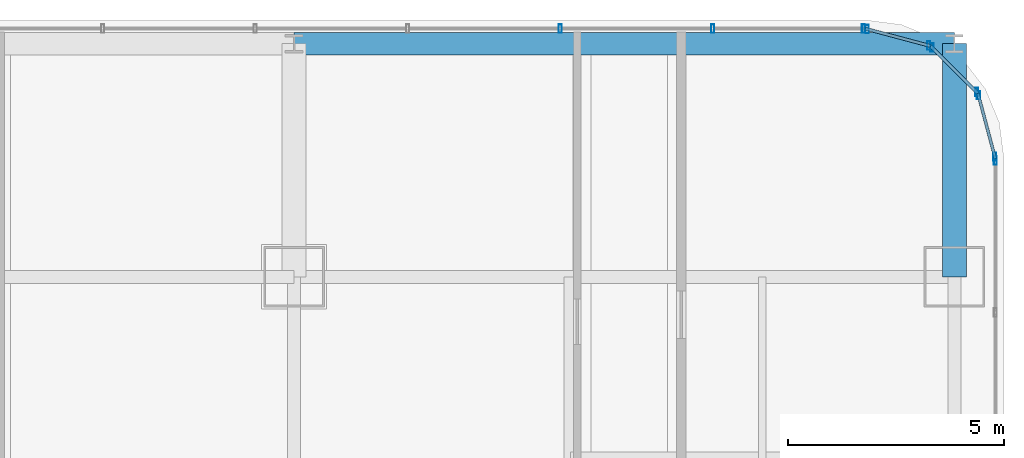
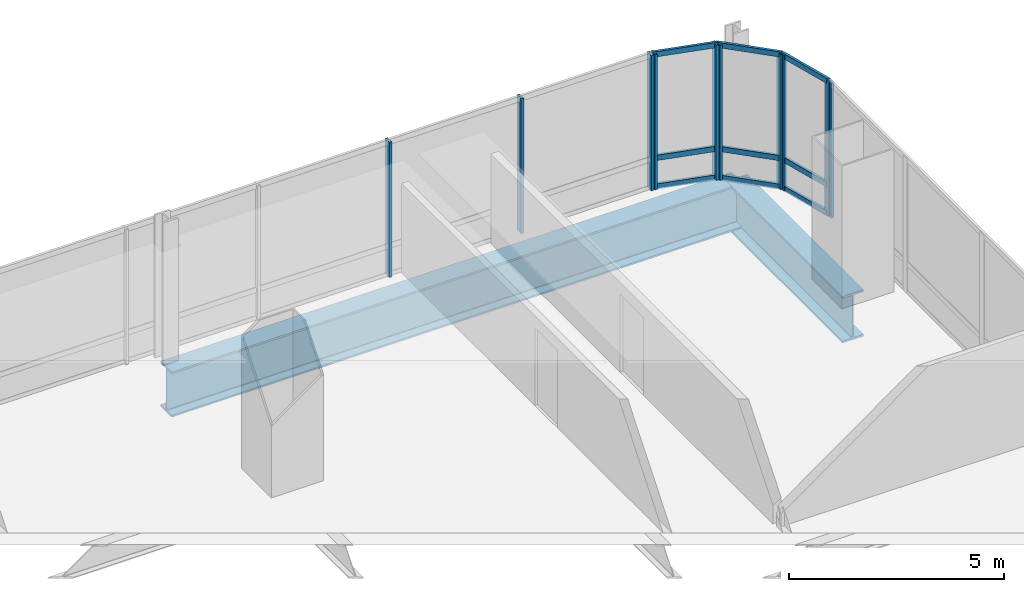
# One storey, part 27 of 38: 19 members, 2 beams, 5 elements without a shape of their own.
"""IFC4 building model written with IfcOpenShell, lengths in metres."""

from ifc_helpers import new_model, si_unit, direction, frame, origin, origin_2d, place, context, subcontext, project, spatial, hollow_rectangle, i_section, extrude, material, material_profile, profile_set, type_object, element, aggregate, save


model = new_model("IFC4")

# Units and contexts
model_context = context("Model", 3, precision=1e-05, world=origin(), true_north=direction((0.0, 1.0)))
body_context = subcontext(model_context, "Body", "Model", "MODEL_VIEW")
ifc_project = project(units=[si_unit("LENGTHUNIT", "METRE"), si_unit("AREAUNIT", "SQUARE_METRE"), si_unit("VOLUMEUNIT", "CUBIC_METRE"), si_unit("PLANEANGLEUNIT", "RADIAN"), si_unit("MASSUNIT", "GRAM", prefix="KILO")], contexts=[model_context])

# Site, building, storey
site_placement = place(None, origin())
site = spatial("IfcSite", under=ifc_project, at=site_placement, CompositionType="ELEMENT")
building_placement = place(site_placement, origin())
building = spatial("IfcBuilding", under=site, at=building_placement, Name="Punatoya Terracotta Tower", CompositionType="ELEMENT")
storey_placement = place(building_placement, frame((0.0, 0.0, 147.89990234375)))
storey = spatial("IfcBuildingStorey", under=building, at=storey_placement, Name="L34", CompositionType="ELEMENT", Elevation=147.89990234375)

# Beams
ifc_material_1 = material(Name="Steel S460", Category="steel")
ifc_material_profile_1 = material_profile(ifc_material_1, i_section(OverallWidth=0.56005859375, OverallDepth=1.320068359375, WebThickness=0.035888671875, FlangeThickness=0.054931640625, FilletRadius=0.01806640625, at=origin_2d()))
ifc_profile_set_1 = profile_set([ifc_material_profile_1], Name="Steel S460")
beam_type_1 = type_object("IfcBeamType", Name="BM-TG-BLK", PredefinedType="BEAM", material=ifc_profile_set_1)
beam_1_placement = place(storey_placement, frame((19.10009765625, 17.5, -0.8798828125), z_axis=(0.0, 1.0, 0.0), x_axis=(-1.0, 0.0, 0.0)))
element("IfcBeam", 1, at=beam_1_placement, inside=storey, type_object=beam_type_1, Name="BM-L34-CANT-N4", PredefinedType="BEAM", context=body_context, shape_type="SweptSolid", body=[
    extrude(i_section(OverallWidth=0.56005859375, OverallDepth=1.320068359375, WebThickness=0.035888671875, FlangeThickness=0.054931640625, FilletRadius=0.01806640625, at=origin_2d()), origin(), (0.0, 0.0, 1.0), 5.39990234375),
])
ifc_material_profile_2 = material_profile(ifc_material_1, i_section(OverallWidth=0.52001953125, OverallDepth=1.280029296875, WebThickness=0.031982421875, FlangeThickness=0.050048828125, FilletRadius=0.01806640625, at=origin_2d()))
ifc_profile_set_2 = profile_set([ifc_material_profile_2], Name="Steel S460")
beam_type_2 = type_object("IfcBeamType", Name="BM-TG-NCK", PredefinedType="BEAM", material=ifc_profile_set_2)
beam_2_placement = place(storey_placement, frame((3.800048828125, 22.89990234375, -0.85986328125), z_axis=(1.0, 0.0, 0.0), x_axis=(0.0, 1.0, 0.0)))
element("IfcBeam", 2, at=beam_2_placement, inside=storey, type_object=beam_type_2, Name="BM-L34-PER-N3", PredefinedType="BEAM", context=body_context, shape_type="SweptSolid", body=[
    extrude(i_section(OverallWidth=0.52001953125, OverallDepth=1.280029296875, WebThickness=0.031982421875, FlangeThickness=0.050048828125, FilletRadius=0.01806640625, at=origin_2d()), origin(), (0.0, 0.0, 1.0), 15.300048828125),
])

# Curtain wall, member
ifc_material_2 = material(Name="Aluminium 6063-T6 + Double Low-E Glass", Category="aluminium")
curtain_wall_type = type_object("IfcCurtainWallType", Name="CW-M2", PredefinedType="NOTDEFINED", material=ifc_material_2)
curtain_wall_1_placement = place(storey_placement, origin())
curtain_wall_1 = element("IfcCurtainWall", 3, at=curtain_wall_1_placement, inside=storey, type_object=curtain_wall_type, Name="L34 Curtain Wall CW-L34-E05-1", PredefinedType="NOTDEFINED")
ifc_material_3 = material(Name="Aluminium 6063-T6", Category="aluminium")
ifc_material_profile_3 = material_profile(ifc_material_3, hollow_rectangle(XDim=0.072021484375, YDim=0.195068359375, WallThickness=0.00439453125, at=origin_2d()))
ifc_profile_set_3 = profile_set([ifc_material_profile_3], Name="Aluminium 6063-T6")
member_type_1 = type_object("IfcMemberType", Name="CW-MUL-M2", PredefinedType="MULLION", material=ifc_profile_set_3)
member_1_placement = place(storey_placement, frame((20.050048828125, 20.19189453125, 0.0), z_axis=(0.0, 0.0, 1.0), x_axis=(1.0, 0.0, 0.0)))
member_1 = element("IfcMember", 4, at=member_1_placement, type_object=member_type_1, Name="CW-L34-E05-1 Mullion 10", PredefinedType="MULLION", context=body_context, shape_type="SweptSolid", body=[
    extrude(hollow_rectangle(XDim=0.072021484375, YDim=0.195068359375, WallThickness=0.00439453125, at=origin_2d()), origin(), (0.0, 0.0, 1.0), 3.830078125),
])
aggregate(curtain_wall_1, [member_1])

# Curtain wall, members
curtain_wall_2_placement = place(storey_placement, origin())
curtain_wall_2 = element("IfcCurtainWall", 5, at=curtain_wall_2_placement, inside=storey, type_object=curtain_wall_type, Name="L34 Curtain Wall CW-L34-CRN06", PredefinedType="NOTDEFINED")
member_2_placement = place(storey_placement, frame((20.038330078125, 20.280517578125, 0.0), z_axis=(0.0, 0.0, 1.0), x_axis=(1.0, 0.0, 0.0)))
member_2 = element("IfcMember", 6, at=member_2_placement, type_object=member_type_1, Name="CW-L34-CRN06 Mullion 00", PredefinedType="MULLION", context=body_context, shape_type="SweptSolid", body=[
    extrude(hollow_rectangle(XDim=0.072021484375, YDim=0.195068359375, WallThickness=0.00439453125, at=origin_2d()), origin(), (0.0, 0.0, 1.0), 3.830078125),
])
member_3_placement = place(storey_placement, frame((19.658203125, 21.70556640625, 0.0), z_axis=(0.0, 0.0, 1.0), x_axis=(1.0, 0.0, 0.0)))
member_3 = element("IfcMember", 7, at=member_3_placement, type_object=member_type_1, Name="CW-L34-CRN06 Mullion 01", PredefinedType="MULLION", context=body_context, shape_type="SweptSolid", body=[
    extrude(hollow_rectangle(XDim=0.072021484375, YDim=0.195068359375, WallThickness=0.00439453125, at=origin_2d()), origin(), (0.0, 0.0, 1.0), 3.830078125),
])

curtain_wall_3_placement = place(storey_placement, origin())
curtain_wall_3 = element("IfcCurtainWall", 8, at=curtain_wall_3_placement, inside=storey, type_object=curtain_wall_type, Name="L34 Curtain Wall CW-L34-CRN07", PredefinedType="NOTDEFINED")
member_4_placement = place(storey_placement, frame((19.61474609375, 21.781005859375, 0.0), z_axis=(0.0, 0.0, 1.0), x_axis=(1.0, 0.0, 0.0)))
member_4 = element("IfcMember", 9, at=member_4_placement, type_object=member_type_1, Name="CW-L34-CRN07 Mullion 00", PredefinedType="MULLION", context=body_context, shape_type="SweptSolid", body=[
    extrude(hollow_rectangle(XDim=0.072021484375, YDim=0.195068359375, WallThickness=0.00439453125, at=origin_2d()), origin(), (0.0, 0.0, 1.0), 3.830078125),
])
member_5_placement = place(storey_placement, frame((18.580810546875, 22.814697265625, 0.0), z_axis=(0.0, 0.0, 1.0), x_axis=(1.0, 0.0, 0.0)))
member_5 = element("IfcMember", 10, at=member_5_placement, type_object=member_type_1, Name="CW-L34-CRN07 Mullion 01", PredefinedType="MULLION", context=body_context, shape_type="SweptSolid", body=[
    extrude(hollow_rectangle(XDim=0.072021484375, YDim=0.195068359375, WallThickness=0.00439453125, at=origin_2d()), origin(), (0.0, 0.0, 1.0), 3.830078125),
])

curtain_wall_4_placement = place(storey_placement, origin())
curtain_wall_4 = element("IfcCurtainWall", 11, at=curtain_wall_4_placement, inside=storey, type_object=curtain_wall_type, Name="L34 Curtain Wall CW-L34-CRN08", PredefinedType="NOTDEFINED")
member_6_placement = place(storey_placement, frame((18.505615234375, 22.858154296875, 0.0), z_axis=(0.0, 0.0, 1.0), x_axis=(1.0, 0.0, 0.0)))
member_6 = element("IfcMember", 12, at=member_6_placement, type_object=member_type_1, Name="CW-L34-CRN08 Mullion 00", PredefinedType="MULLION", context=body_context, shape_type="SweptSolid", body=[
    extrude(hollow_rectangle(XDim=0.072021484375, YDim=0.195068359375, WallThickness=0.00439453125, at=origin_2d()), origin(), (0.0, 0.0, 1.0), 3.830078125),
])
member_7_placement = place(storey_placement, frame((17.080322265625, 23.23828125, 0.0), z_axis=(0.0, 0.0, 1.0), x_axis=(1.0, 0.0, 0.0)))
member_7 = element("IfcMember", 13, at=member_7_placement, type_object=member_type_1, Name="CW-L34-CRN08 Mullion 01", PredefinedType="MULLION", context=body_context, shape_type="SweptSolid", body=[
    extrude(hollow_rectangle(XDim=0.072021484375, YDim=0.195068359375, WallThickness=0.00439453125, at=origin_2d()), origin(), (0.0, 0.0, 1.0), 3.830078125),
])

curtain_wall_5_placement = place(storey_placement, origin())
curtain_wall_5 = element("IfcCurtainWall", 14, at=curtain_wall_5_placement, inside=storey, type_object=curtain_wall_type, Name="L34 Curtain Wall CW-L34-N09-1", PredefinedType="NOTDEFINED")
member_8_placement = place(storey_placement, frame((16.991943359375, 23.25, 0.0), z_axis=(0.0, 0.0, 1.0), x_axis=(1.0, 0.0, 0.0)))
member_8 = element("IfcMember", 15, at=member_8_placement, type_object=member_type_1, Name="CW-L34-N09-1 Mullion 00", PredefinedType="MULLION", context=body_context, shape_type="SweptSolid", body=[
    extrude(hollow_rectangle(XDim=0.072021484375, YDim=0.195068359375, WallThickness=0.00439453125, at=origin_2d()), origin(), (0.0, 0.0, 1.0), 3.830078125),
])
member_9_placement = place(storey_placement, frame((13.5029296875, 23.25, 0.0), z_axis=(0.0, 0.0, 1.0), x_axis=(1.0, 0.0, 0.0)))
member_9 = element("IfcMember", 16, at=member_9_placement, type_object=member_type_1, Name="CW-L34-N09-1 Mullion 01", PredefinedType="MULLION", context=body_context, shape_type="SweptSolid", body=[
    extrude(hollow_rectangle(XDim=0.072021484375, YDim=0.195068359375, WallThickness=0.00439453125, at=origin_2d()), origin(), (0.0, 0.0, 1.0), 3.830078125),
])
member_10_placement = place(storey_placement, frame((9.968994140625, 23.25, 0.0), z_axis=(0.0, 0.0, 1.0), x_axis=(1.0, 0.0, 0.0)))
member_10 = element("IfcMember", 17, at=member_10_placement, type_object=member_type_1, Name="CW-L34-N09-1 Mullion 02", PredefinedType="MULLION", context=body_context, shape_type="SweptSolid", body=[
    extrude(hollow_rectangle(XDim=0.072021484375, YDim=0.195068359375, WallThickness=0.00439453125, at=origin_2d()), origin(), (0.0, 0.0, 1.0), 3.830078125),
])
aggregate(curtain_wall_5, [member_8, member_9, member_10])

# Member
ifc_material_profile_4 = material_profile(ifc_material_3, hollow_rectangle(XDim=0.068115234375, YDim=0.14990234375, WallThickness=0.00390625, at=origin_2d()))
ifc_profile_set_4 = profile_set([ifc_material_profile_4], Name="Aluminium 6063-T6")
member_type_2 = type_object("IfcMemberType", Name="CW-TRN-TYP", PredefinedType="USERDEFINED", material=ifc_profile_set_4)
member_11_placement = place(storey_placement, frame((20.050048828125, 20.23681640625, 0.0400390625), z_axis=(-0.257847112249, 0.966185730957, 0.0), x_axis=(-0.966185730957, -0.257847112249, 0.0)))
member_11 = element("IfcMember", 18, at=member_11_placement, type_object=member_type_2, Name="CW-L34-CRN06 Transom 1", ObjectType="TRANSOM", PredefinedType="USERDEFINED", context=body_context, shape_type="SweptSolid", body=[
    extrude(hollow_rectangle(XDim=0.068115234375, YDim=0.14990234375, WallThickness=0.00390625, at=origin_2d()), origin(), (0.0, 0.0, 1.0), 1.565185546875),
])

member_12_placement = place(storey_placement, frame((20.050048828125, 20.23681640625, 0.85009765625), z_axis=(-0.257847112249, 0.966185730957, 0.0), x_axis=(-0.966185730957, -0.257847112249, 0.0)))
member_12 = element("IfcMember", 19, at=member_12_placement, type_object=member_type_2, Name="CW-L34-CRN06 Transom 2", ObjectType="TRANSOM", PredefinedType="USERDEFINED", context=body_context, shape_type="SweptSolid", body=[
    extrude(hollow_rectangle(XDim=0.068115234375, YDim=0.14990234375, WallThickness=0.00390625, at=origin_2d()), origin(), (0.0, 0.0, 1.0), 1.565185546875),
])

member_13_placement = place(storey_placement, frame((20.050048828125, 20.23681640625, 3.7900390625), z_axis=(-0.257847112249, 0.966185730957, 0.0), x_axis=(-0.966185730957, -0.257847112249, 0.0)))
member_13 = element("IfcMember", 20, at=member_13_placement, type_object=member_type_2, Name="CW-L34-CRN06 Transom 3", ObjectType="TRANSOM", PredefinedType="USERDEFINED", context=body_context, shape_type="SweptSolid", body=[
    extrude(hollow_rectangle(XDim=0.068115234375, YDim=0.14990234375, WallThickness=0.00390625, at=origin_2d()), origin(), (0.0, 0.0, 1.0), 1.565185546875),
])

aggregate(curtain_wall_2, [member_2, member_3, member_11, member_12, member_13])

member_14_placement = place(storey_placement, frame((19.646484375, 21.7490234375, 0.0400390625), z_axis=(-0.707028130747, 0.707185422879, 0.0), x_axis=(-0.707185422879, -0.707028130747, 0.0)))
member_14 = element("IfcMember", 21, at=member_14_placement, type_object=member_type_2, Name="CW-L34-CRN07 Transom 1", ObjectType="TRANSOM", PredefinedType="USERDEFINED", context=body_context, shape_type="SweptSolid", body=[
    extrude(hollow_rectangle(XDim=0.068115234375, YDim=0.14990234375, WallThickness=0.00390625, at=origin_2d()), origin(), (0.0, 0.0, 1.0), 1.55224609375),
])

member_15_placement = place(storey_placement, frame((19.646484375, 21.7490234375, 0.85009765625), z_axis=(-0.707028130747, 0.707185422879, 0.0), x_axis=(-0.707185422879, -0.707028130747, 0.0)))
member_15 = element("IfcMember", 22, at=member_15_placement, type_object=member_type_2, Name="CW-L34-CRN07 Transom 2", ObjectType="TRANSOM", PredefinedType="USERDEFINED", context=body_context, shape_type="SweptSolid", body=[
    extrude(hollow_rectangle(XDim=0.068115234375, YDim=0.14990234375, WallThickness=0.00390625, at=origin_2d()), origin(), (0.0, 0.0, 1.0), 1.55224609375),
])

member_16_placement = place(storey_placement, frame((19.646484375, 21.7490234375, 3.7900390625), z_axis=(-0.707028130747, 0.707185422879, 0.0), x_axis=(-0.707185422879, -0.707028130747, 0.0)))
member_16 = element("IfcMember", 23, at=member_16_placement, type_object=member_type_2, Name="CW-L34-CRN07 Transom 3", ObjectType="TRANSOM", PredefinedType="USERDEFINED", context=body_context, shape_type="SweptSolid", body=[
    extrude(hollow_rectangle(XDim=0.068115234375, YDim=0.14990234375, WallThickness=0.00390625, at=origin_2d()), origin(), (0.0, 0.0, 1.0), 1.55224609375),
])

aggregate(curtain_wall_3, [member_4, member_5, member_14, member_15, member_16])

member_17_placement = place(storey_placement, frame((18.549072265625, 22.8466796875, 0.0400390625), z_axis=(-0.966224582397, 0.257701486942, 0.0), x_axis=(-0.257701486942, -0.966224582397, 0.0)))
member_17 = element("IfcMember", 24, at=member_17_placement, type_object=member_type_2, Name="CW-L34-CRN08 Transom 1", ObjectType="TRANSOM", PredefinedType="USERDEFINED", context=body_context, shape_type="SweptSolid", body=[
    extrude(hollow_rectangle(XDim=0.068115234375, YDim=0.14990234375, WallThickness=0.00390625, at=origin_2d()), origin(), (0.0, 0.0, 1.0), 1.565185546875),
])

member_18_placement = place(storey_placement, frame((18.549072265625, 22.8466796875, 0.85009765625), z_axis=(-0.966224582397, 0.257701486942, 0.0), x_axis=(-0.257701486942, -0.966224582397, 0.0)))
member_18 = element("IfcMember", 25, at=member_18_placement, type_object=member_type_2, Name="CW-L34-CRN08 Transom 2", ObjectType="TRANSOM", PredefinedType="USERDEFINED", context=body_context, shape_type="SweptSolid", body=[
    extrude(hollow_rectangle(XDim=0.068115234375, YDim=0.14990234375, WallThickness=0.00390625, at=origin_2d()), origin(), (0.0, 0.0, 1.0), 1.565185546875),
])

member_19_placement = place(storey_placement, frame((18.549072265625, 22.8466796875, 3.7900390625), z_axis=(-0.966224582397, 0.257701486942, 0.0), x_axis=(-0.257701486942, -0.966224582397, 0.0)))
member_19 = element("IfcMember", 26, at=member_19_placement, type_object=member_type_2, Name="CW-L34-CRN08 Transom 3", ObjectType="TRANSOM", PredefinedType="USERDEFINED", context=body_context, shape_type="SweptSolid", body=[
    extrude(hollow_rectangle(XDim=0.068115234375, YDim=0.14990234375, WallThickness=0.00390625, at=origin_2d()), origin(), (0.0, 0.0, 1.0), 1.565185546875),
])

aggregate(curtain_wall_4, [member_6, member_7, member_17, member_18, member_19])

save(model, "model.ifc")
